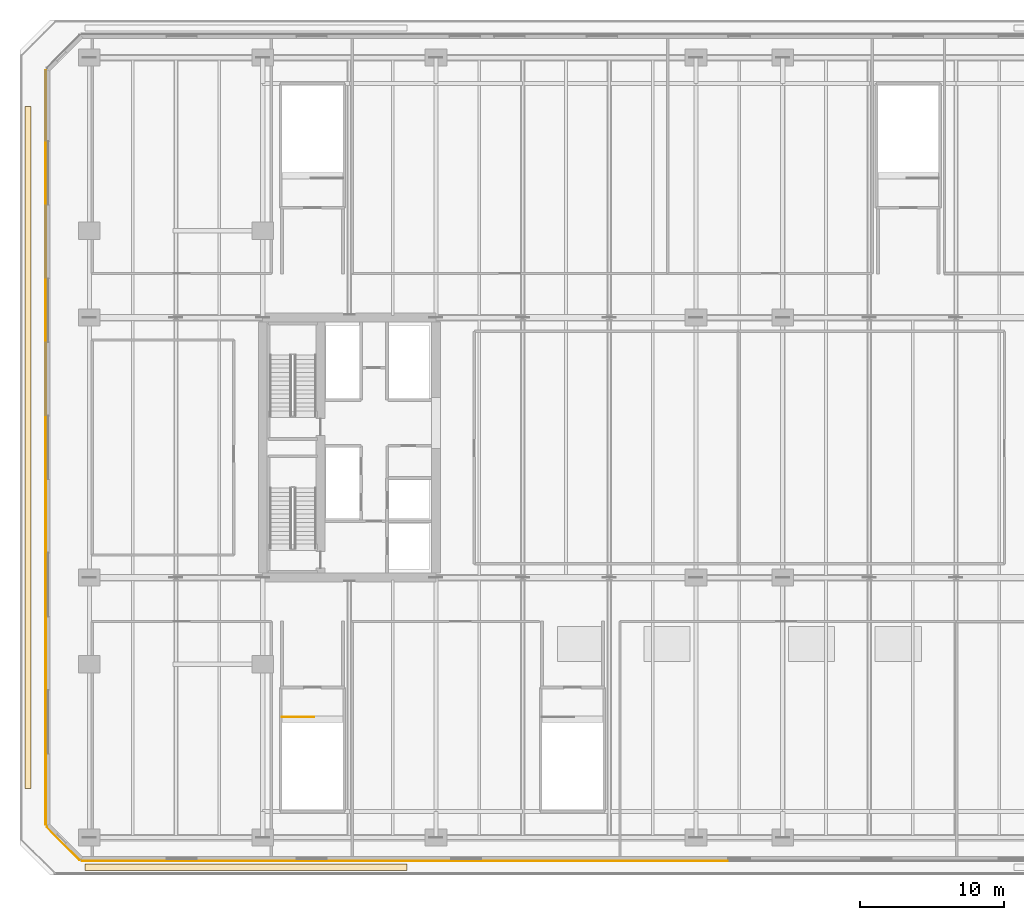
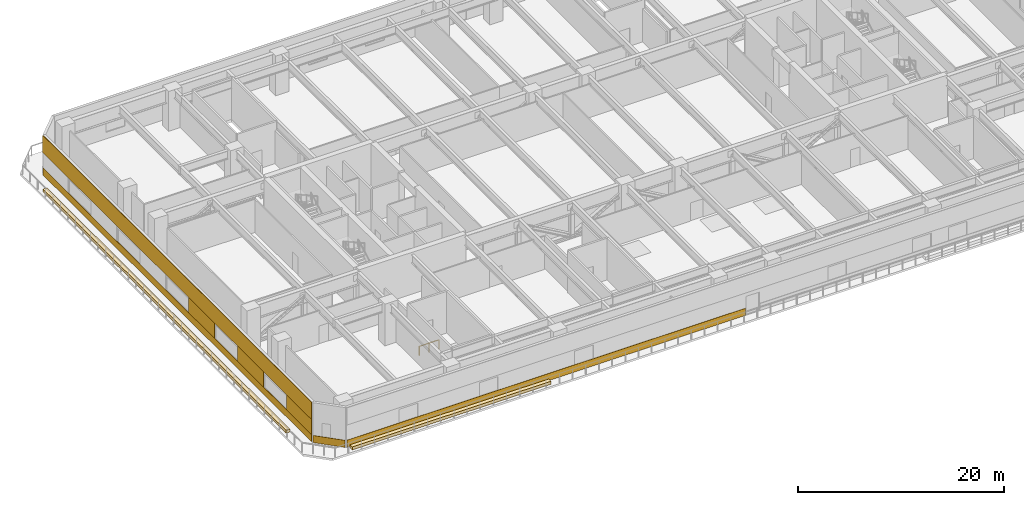
# One storey, part 17 of 25: 9 coverings, 1 railing.
"""IFC4 building model written with IfcOpenShell, lengths in metres."""

from ifc_helpers import new_model, si_unit, direction, frame, origin, origin_2d, place, context, subcontext, project, spatial, polyline, rectangle, outline, extrude, material, layer, layer_set, type_object, element, save


model = new_model("IFC4")

# Units and contexts
model_context = context("Model", 3, precision=1e-05, world=origin(), true_north=direction((0.0, 1.0)))
body_context = subcontext(model_context, "Body", "Model", "MODEL_VIEW")
ifc_project = project(units=[si_unit("LENGTHUNIT", "METRE"), si_unit("AREAUNIT", "SQUARE_METRE"), si_unit("VOLUMEUNIT", "CUBIC_METRE"), si_unit("PLANEANGLEUNIT", "RADIAN"), si_unit("MASSUNIT", "GRAM", prefix="KILO")], contexts=[model_context])

# Site, building, storey
site_placement = place(None, origin())
site = spatial("IfcSite", under=ifc_project, at=site_placement, CompositionType="ELEMENT")
building_placement = place(site_placement, origin())
building = spatial("IfcBuilding", under=site, at=building_placement, Name="Tanjung Sevakor Pilgrim Tower", CompositionType="ELEMENT")
storey_placement = place(building_placement, frame((0.0, 0.0, 24.090087890625)))
storey = spatial("IfcBuildingStorey", under=building, at=storey_placement, Name="L06", CompositionType="ELEMENT", Elevation=24.090087890625)

# Coverings
ifc_material_1 = material(Name="Reconstructed Limestone Cladding", Category="masonry")
ifc_layer_1 = layer(ifc_material_1, 0.044921875)
ifc_layer_set_1 = layer_set([ifc_layer_1], Name="COV-CLAD-LIMESTONE")
covering_type_1 = type_object("IfcCoveringType", Name="COV-CLAD-LIMESTONE", PredefinedType="CLADDING", material=ifc_layer_set_1)
covering_1_placement = place(storey_placement, frame((33.843994140625, 4.9775390625, 0.009765625), z_axis=(0.0, 0.0, 1.0), x_axis=(1.0, 0.0, 0.0)))
element("IfcCovering", 1, at=covering_1_placement, inside=storey, type_object=covering_type_1, Name="L06 Warm Limestone Sill Spandrel EW-L06-MAIN-1-1", PredefinedType="CLADDING", context=body_context, shape_type="SweptSolid", body=[
    extrude(rectangle(XDim=44.69189453125, YDim=0.044921875, at=origin_2d()), origin(), (0.0, 0.0, 1.0), 0.840087890625),
])
covering_2_placement = place(storey_placement, frame((8.9775390625, 33.60009765625, 0.009765625), z_axis=(0.0, 0.0, 1.0), x_axis=(0.0, -1.0, 0.0)))
element("IfcCovering", 2, at=covering_2_placement, inside=storey, type_object=covering_type_1, Name="L06 Warm Limestone Sill Spandrel EW-L06-MAIN-7-1", PredefinedType="CLADDING", context=body_context, shape_type="SweptSolid", body=[
    extrude(rectangle(XDim=52.2041015625, YDim=0.044921875, at=origin_2d()), origin(), (0.0, 0.0, 1.0), 0.840087890625),
])
covering_3_placement = place(storey_placement, frame((8.9775390625, 33.60009765625, 2.659912109375), z_axis=(0.0, 0.0, 1.0), x_axis=(0.0, -1.0, 0.0)))
element("IfcCovering", 3, at=covering_3_placement, inside=storey, type_object=covering_type_1, Name="L06 Warm Limestone Cornice Spandrel EW-L06-MAIN-7", PredefinedType="CLADDING", context=body_context, shape_type="SweptSolid", body=[
    extrude(rectangle(XDim=52.243896484375, YDim=0.044921875, at=origin_2d()), origin(), (0.0, 0.0, 1.0), 2.0400390625),
])
for number, where, z_axis, x_axis, name in (
    (4, (8.9775390625, 28.85009765625, 0.849853515625), (0.0, 0.0, 1.0), (0.0, -1.0, 0.0), "L06 Warm Limestone Pier Panel EW-L06-MAIN-7-4"),
    (5, (8.9775390625, 19.35009765625, 0.849853515625), (0.0, 0.0, 1.0), (0.0, -1.0, 0.0), "L06 Warm Limestone Pier Panel EW-L06-MAIN-7-5"),
):
    element("IfcCovering", number, at=place(storey_placement, frame(where, z_axis=z_axis, x_axis=x_axis)), inside=storey, type_object=covering_type_1, Name=name, PredefinedType="CLADDING", context=body_context, shape_type="SweptSolid", body=[
        extrude(rectangle(XDim=5.0, YDim=0.044921875, at=origin_2d()), origin(), (0.0, 0.0, 1.0), 1.81005859375),
    ])
covering_4_placement = place(storey_placement, frame((8.9775390625, 9.924072265625, 0.849853515625), z_axis=(0.0, 0.0, 1.0), x_axis=(0.0, -1.0, 0.0)))
element("IfcCovering", 6, at=covering_4_placement, inside=storey, type_object=covering_type_1, Name="L06 Warm Limestone Pier Panel EW-L06-MAIN-7-6", PredefinedType="CLADDING", context=body_context, shape_type="SweptSolid", body=[
    extrude(rectangle(XDim=4.85205078125, YDim=0.044921875, at=origin_2d()), origin(), (0.0, 0.0, 1.0), 1.81005859375),
])
covering_5_placement = place(storey_placement, frame((10.18408203125, 6.18408203125, 0.009765625), z_axis=(0.0, 0.0, 1.0), x_axis=(0.707106781187, -0.707106781187, 0.0)))
element("IfcCovering", 7, at=covering_5_placement, inside=storey, type_object=covering_type_1, Name="L06 Warm Limestone Sill Spandrel EW-L06-MAIN-8-1", PredefinedType="CLADDING", context=body_context, shape_type="SweptSolid", body=[
    extrude(rectangle(XDim=3.197998046875, YDim=0.044921875, at=origin_2d()), origin(), (0.0, 0.0, 1.0), 0.840087890625),
])
ifc_material_2 = material(Name="Vegetated Modular Planter Assembly", Category="organic")
ifc_layer_2 = layer(ifc_material_2, 0.35009765625)
ifc_layer_set_2 = layer_set([ifc_layer_2], Name="COV-GRN-TROUGH")
covering_type_2 = type_object("IfcCoveringType", Name="COV-GRN-TROUGH", PredefinedType="CLADDING", material=ifc_layer_set_2)
covering_6_placement = place(storey_placement, origin())
element("IfcCovering", 8, at=covering_6_placement, inside=storey, type_object=covering_type_2, Name="L06 Planted Landscape Hedge Trough PGRN-L06-SW", PredefinedType="CLADDING", context=body_context, shape_type="SweptSolid", body=[
    extrude(outline(polyline([(11.699951171875, 4.330078125), (34.0, 4.330078125), (34.0, 4.77001953125), (11.699951171875, 4.77001953125), (11.699951171875, 4.330078125)])), origin(), (0.0, 0.0, 1.0), 0.349853515625),
])
covering_7_placement = place(storey_placement, origin())
element("IfcCovering", 9, at=covering_7_placement, inside=storey, type_object=covering_type_2, Name="L06 Planted Landscape Hedge Trough PGRN-L06-W", PredefinedType="CLADDING", context=body_context, shape_type="SweptSolid", body=[
    extrude(outline(polyline([(7.969970703125, 10.0), (7.969970703125, 57.199951171875), (7.530029296875, 57.199951171875), (7.530029296875, 10.0), (7.969970703125, 10.0)])), origin(), (0.0, 0.0, 1.0), 0.349853515625),
])

# Railing
ifc_material_3 = material(Name="Steel S355J2", Category="steel")
railing_type = type_object("IfcRailingType", Name="RL-STAIR-GUARD", PredefinedType="GUARDRAIL", material=ifc_material_3)
railing_placement = place(storey_placement, frame((25.35009765625, 14.949951171875, 0.0)))
element("IfcRailing", 10, at=railing_placement, inside=storey, type_object=railing_type, Name="L06 PS-1 top well guard 1", PredefinedType="GUARDRAIL", context=body_context, shape_type="SweptSolid", body=[
    extrude(rectangle(XDim=0.0479, YDim=0.0479), frame((0.0, 0.0, 1.076171875), z_axis=(1.0, 0.0, 0.0), x_axis=(0.0, 1.0, 0.0)), (0.0, 0.0, 1.0), 2.199951171875),
    extrude(rectangle(XDim=0.042, YDim=0.042), origin(), (0.0, 0.0, 1.0), 1.052001953125),
    extrude(rectangle(XDim=0.042, YDim=0.042), frame((1.10009765625, 0.0, 0.0)), (0.0, 0.0, 1.0), 1.052001953125),
    extrude(rectangle(XDim=0.042, YDim=0.042), frame((2.199951171875, 0.0, 0.0)), (0.0, 0.0, 1.0), 1.052001953125),
])

save(model, "model.ifc")
